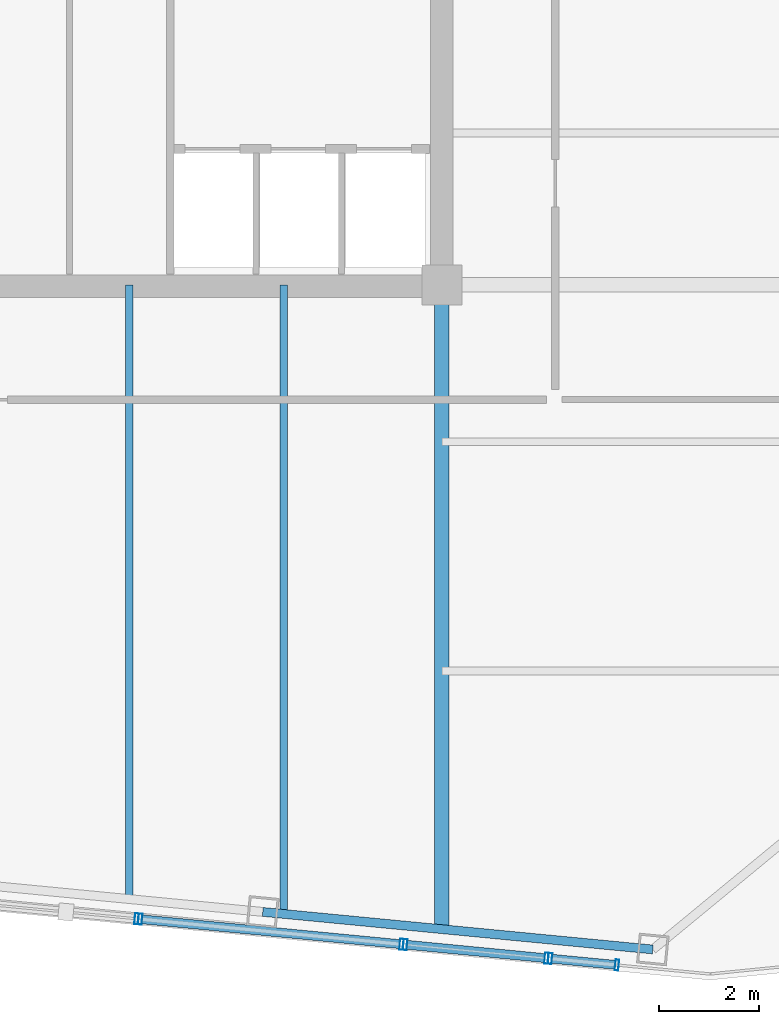
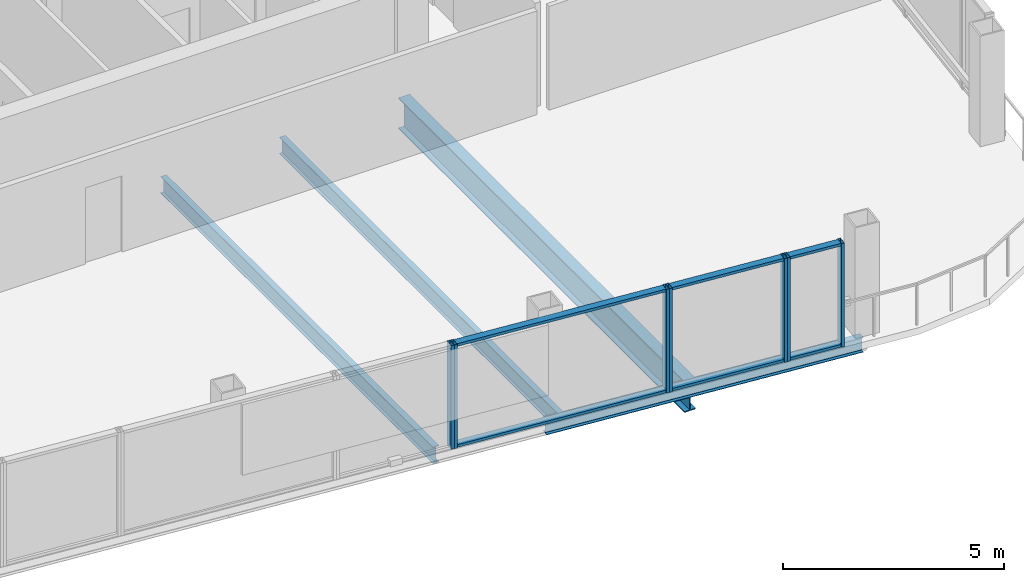
# One storey, part 5 of 26: 13 members, 4 beams, 4 elements without a shape of their own.
"""IFC4 building model written with IfcOpenShell, lengths in metres."""

from ifc_helpers import new_model, si_unit, direction, frame, origin, origin_2d, place, context, subcontext, project, spatial, hollow_rectangle, i_section, extrude, material, layer, layer_set, material_profile, profile_set, type_object, element, aggregate, save


model = new_model("IFC4")

# Units and contexts
model_context = context("Model", 3, precision=1e-05, world=origin(), true_north=direction((0.0, 1.0)))
body_context = subcontext(model_context, "Body", "Model", "MODEL_VIEW")
ifc_project = project(units=[si_unit("LENGTHUNIT", "METRE"), si_unit("AREAUNIT", "SQUARE_METRE"), si_unit("VOLUMEUNIT", "CUBIC_METRE"), si_unit("PLANEANGLEUNIT", "RADIAN"), si_unit("MASSUNIT", "GRAM", prefix="KILO")], contexts=[model_context])

# Site, building, storey
site_placement = place(None, origin())
site = spatial("IfcSite", under=ifc_project, at=site_placement, CompositionType="ELEMENT")
building_placement = place(site_placement, origin())
building = spatial("IfcBuilding", under=site, at=building_placement, Name="Qhalaya Broadcast Tower", CompositionType="ELEMENT")
storey_placement = place(building_placement, frame((0.0, 0.0, 248.949951171875)))
storey = spatial("IfcBuildingStorey", under=building, at=storey_placement, Name="L73", CompositionType="ELEMENT", Elevation=248.949951171875)

# Beams
ifc_material_1 = material(Name="Structural Steel ASTM A992 Grade 50", Category="steel")
ifc_material_profile_1 = material_profile(ifc_material_1, i_section(OverallWidth=0.154052734375, OverallDepth=0.458984375, WebThickness=0.009033203125, FlangeThickness=0.015380859375, at=origin_2d()), Name="W18X46")
ifc_profile_set_1 = profile_set([ifc_material_profile_1], Name="Structural Steel ASTM A992 Grade 50")
beam_type_1 = type_object("IfcBeamType", Name="Composite Floor Joist J04", PredefinedType="JOIST", material=ifc_profile_set_1)
beam_1_placement = place(storey_placement, frame((3.10009765625, -21.058349609375, -0.41943359375), z_axis=(0.0, 1.0, 0.0), x_axis=(-1.0, 0.0, 0.0)))
element("IfcBeam", 1, at=beam_1_placement, inside=storey, type_object=beam_type_1, Name="L73 J04 L73-JNS4-1", PredefinedType="JOIST", context=body_context, shape_type="SweptSolid", body=[
    extrude(i_section(OverallWidth=0.154052734375, OverallDepth=0.458984375, WebThickness=0.009033203125, FlangeThickness=0.015380859375, at=origin_2d()), origin(), (0.0, 0.0, 1.0), 12.308349609375),
])
beam_2_placement = place(storey_placement, frame((6.199951171875, -21.35693359375, -0.41943359375), z_axis=(0.0, 1.0, 0.0), x_axis=(-1.0, 0.0, 0.0)))
element("IfcBeam", 2, at=beam_2_placement, inside=storey, type_object=beam_type_1, Name="L73 J04 L73-JNS5-1", PredefinedType="JOIST", context=body_context, shape_type="SweptSolid", body=[
    extrude(i_section(OverallWidth=0.154052734375, OverallDepth=0.458984375, WebThickness=0.009033203125, FlangeThickness=0.015380859375, at=origin_2d()), origin(), (0.0, 0.0, 1.0), 12.60693359375),
])

# Curtain wall, member
ifc_material_2 = material(Name="Solar-Control Low-E Triple Glazing", Category="glass")
ifc_layer_1 = layer(ifc_material_2, 0.219970703125, Name="Solar-Control Low-E Triple Glazing")
ifc_layer_set_1 = layer_set([ifc_layer_1], Name="Solar-Control Low-E Triple Glazing")
curtain_wall_type_1 = type_object("IfcCurtainWallType", Name="High-Altitude Upper-Shaft Triple Low-E Curtain Wall CW-04", PredefinedType="NOTDEFINED", material=ifc_layer_set_1)
curtain_wall_1_placement = place(storey_placement, origin())
curtain_wall_1 = element("IfcCurtainWall", 3, at=curtain_wall_1_placement, inside=storey, type_object=curtain_wall_type_1, Name="L73 Unitised Curtain Wall L73-CW-S4", PredefinedType="NOTDEFINED")
ifc_material_3 = material(Name="Anodised Aluminium 6063-T6", Category="aluminium")
ifc_material_profile_2 = material_profile(ifc_material_3, hollow_rectangle(XDim=0.074951171875, YDim=0.219970703125, WallThickness=0.00390625, at=origin_2d()), Name="ALU-MUL 75x220x4")
ifc_profile_set_2 = profile_set([ifc_material_profile_2], Name="Anodised Aluminium 6063-T6")
member_type_1 = type_object("IfcMemberType", Name="Unitised Curtain-Wall Mullion M01", PredefinedType="MULLION", material=ifc_profile_set_2)
member_1_placement = place(storey_placement, frame((3.244140625, -21.47412109375, 0.0), z_axis=(0.0, 0.0, 1.0), x_axis=(0.995397805992, -0.095829055234, 0.0)))
member_1 = element("IfcMember", 4, at=member_1_placement, type_object=member_type_1, Name="CW-04 mullion 2", PredefinedType="MULLION", context=body_context, shape_type="SweptSolid", body=[
    extrude(hollow_rectangle(XDim=0.074951171875, YDim=0.219970703125, WallThickness=0.00390625, at=origin_2d()), origin(), (0.0, 0.0, 1.0), 2.860107421875),
])
aggregate(curtain_wall_1, [member_1])

# Curtain wall, members
ifc_material_4 = material(Name="Fired Architectural Terracotta", Category="masonry")
ifc_layer_2 = layer(ifc_material_4, 0.219970703125, Name="Fired Architectural Terracotta")
ifc_layer_set_2 = layer_set([ifc_layer_2], Name="Fired Architectural Terracotta")
curtain_wall_type_2 = type_object("IfcCurtainWallType", Name="Block-Cap Unitised Terracotta Spandrel Wall CW-07", PredefinedType="NOTDEFINED", material=ifc_layer_set_2)
curtain_wall_2_placement = place(storey_placement, origin())
curtain_wall_2 = element("IfcCurtainWall", 5, at=curtain_wall_2_placement, inside=storey, type_object=curtain_wall_type_2, Name="L73 Unitised Curtain Wall L73-CW-S5", PredefinedType="NOTDEFINED")
member_2_placement = place(storey_placement, frame((3.31884765625, -21.4814453125, 0.0), z_axis=(0.0, 0.0, 1.0), x_axis=(0.995396263968, -0.095845071223, 0.0)))
member_2 = element("IfcMember", 6, at=member_2_placement, type_object=member_type_1, Name="CW-07 mullion 1", PredefinedType="MULLION", context=body_context, shape_type="SweptSolid", body=[
    extrude(hollow_rectangle(XDim=0.074951171875, YDim=0.219970703125, WallThickness=0.00390625, at=origin_2d()), origin(), (0.0, 0.0, 1.0), 2.860107421875),
])
member_3_placement = place(storey_placement, frame((8.5625, -21.986328125, 0.0), z_axis=(0.0, 0.0, 1.0), x_axis=(0.995396263968, -0.095845071223, 0.0)))
member_3 = element("IfcMember", 7, at=member_3_placement, type_object=member_type_1, Name="CW-07 mullion 2", PredefinedType="MULLION", context=body_context, shape_type="SweptSolid", body=[
    extrude(hollow_rectangle(XDim=0.074951171875, YDim=0.219970703125, WallThickness=0.00390625, at=origin_2d()), origin(), (0.0, 0.0, 1.0), 2.860107421875),
])

curtain_wall_3_placement = place(storey_placement, origin())
curtain_wall_3 = element("IfcCurtainWall", 8, at=curtain_wall_3_placement, inside=storey, type_object=curtain_wall_type_1, Name="L73 Unitised Curtain Wall L73-CW-S6", PredefinedType="NOTDEFINED")
member_4_placement = place(storey_placement, frame((8.63720703125, -21.993408203125, 0.0), z_axis=(0.0, 0.0, 1.0), x_axis=(0.995394978082, -0.095858424822, 0.0)))
member_4 = element("IfcMember", 9, at=member_4_placement, type_object=member_type_1, Name="CW-04 mullion 1", PredefinedType="MULLION", context=body_context, shape_type="SweptSolid", body=[
    extrude(hollow_rectangle(XDim=0.074951171875, YDim=0.219970703125, WallThickness=0.00390625, at=origin_2d()), origin(), (0.0, 0.0, 1.0), 2.860107421875),
])
member_5_placement = place(storey_placement, frame((11.47216796875, -22.2666015625, 0.0), z_axis=(0.0, 0.0, 1.0), x_axis=(0.995394978082, -0.095858424822, 0.0)))
member_5 = element("IfcMember", 10, at=member_5_placement, type_object=member_type_1, Name="CW-04 mullion 2", PredefinedType="MULLION", context=body_context, shape_type="SweptSolid", body=[
    extrude(hollow_rectangle(XDim=0.074951171875, YDim=0.219970703125, WallThickness=0.00390625, at=origin_2d()), origin(), (0.0, 0.0, 1.0), 2.860107421875),
])

curtain_wall_4_placement = place(storey_placement, origin())
curtain_wall_4 = element("IfcCurtainWall", 11, at=curtain_wall_4_placement, inside=storey, type_object=curtain_wall_type_2, Name="L73 Unitised Curtain Wall L73-CW-S7", PredefinedType="NOTDEFINED")
member_6_placement = place(storey_placement, frame((11.546875, -22.273681640625, 0.0), z_axis=(0.0, 0.0, 1.0), x_axis=(0.995395360914, -0.095854449411, 0.0)))
member_6 = element("IfcMember", 12, at=member_6_placement, type_object=member_type_1, Name="CW-07 mullion 1", PredefinedType="MULLION", context=body_context, shape_type="SweptSolid", body=[
    extrude(hollow_rectangle(XDim=0.074951171875, YDim=0.219970703125, WallThickness=0.00390625, at=origin_2d()), origin(), (0.0, 0.0, 1.0), 2.860107421875),
])
member_7_placement = place(storey_placement, frame((12.887451171875, -22.40283203125, 0.0), z_axis=(0.0, 0.0, 1.0), x_axis=(0.995395360914, -0.095854449411, 0.0)))
member_7 = element("IfcMember", 13, at=member_7_placement, type_object=member_type_1, Name="CW-07 mullion 2", PredefinedType="MULLION", context=body_context, shape_type="SweptSolid", body=[
    extrude(hollow_rectangle(XDim=0.074951171875, YDim=0.219970703125, WallThickness=0.00390625, at=origin_2d()), origin(), (0.0, 0.0, 1.0), 2.860107421875),
])

# Member
ifc_material_profile_3 = material_profile(ifc_material_3, hollow_rectangle(XDim=0.074951171875, YDim=0.179931640625, WallThickness=0.00390625, at=origin_2d()), Name="ALU-TRN 75x180x4")
ifc_profile_set_3 = profile_set([ifc_material_profile_3], Name="Anodised Aluminium 6063-T6")
member_type_2 = type_object("IfcMemberType", Name="Unitised Curtain-Wall Transom T01", PredefinedType="USERDEFINED", material=ifc_profile_set_3)
member_8_placement = place(storey_placement, frame((3.356201171875, -21.485107421875, 0.03759765625), z_axis=(0.995399031506, -0.095816324684, 0.0), x_axis=(0.0, 0.0, 1.0)))
member_8 = element("IfcMember", 14, at=member_8_placement, type_object=member_type_2, Name="CW-07 transom 1.1", ObjectType="TRANSOM", PredefinedType="USERDEFINED", context=body_context, shape_type="SweptSolid", body=[
    extrude(hollow_rectangle(XDim=0.074951171875, YDim=0.179931640625, WallThickness=0.00390625, at=origin_2d()), origin(), (0.0, 0.0, 1.0), 5.19287109375),
])

member_9_placement = place(storey_placement, frame((3.356201171875, -21.485107421875, 2.822509765625), z_axis=(0.995399031506, -0.095816324684, 0.0), x_axis=(0.0, 0.0, 1.0)))
member_9 = element("IfcMember", 15, at=member_9_placement, type_object=member_type_2, Name="CW-07 transom 1.2", ObjectType="TRANSOM", PredefinedType="USERDEFINED", context=body_context, shape_type="SweptSolid", body=[
    extrude(hollow_rectangle(XDim=0.074951171875, YDim=0.179931640625, WallThickness=0.00390625, at=origin_2d()), origin(), (0.0, 0.0, 1.0), 5.19287109375),
])

aggregate(curtain_wall_2, [member_2, member_3, member_8, member_9])

member_10_placement = place(storey_placement, frame((8.674560546875, -21.9970703125, 0.03759765625), z_axis=(0.995393207476, -0.095876809034, 0.0), x_axis=(0.0, 0.0, 1.0)))
member_10 = element("IfcMember", 16, at=member_10_placement, type_object=member_type_2, Name="CW-04 transom 1.1", ObjectType="TRANSOM", PredefinedType="USERDEFINED", context=body_context, shape_type="SweptSolid", body=[
    extrude(hollow_rectangle(XDim=0.074951171875, YDim=0.179931640625, WallThickness=0.00390625, at=origin_2d()), origin(), (0.0, 0.0, 1.0), 2.77294921875),
])

member_11_placement = place(storey_placement, frame((8.674560546875, -21.9970703125, 2.822509765625), z_axis=(0.995393207476, -0.095876809034, 0.0), x_axis=(0.0, 0.0, 1.0)))
member_11 = element("IfcMember", 17, at=member_11_placement, type_object=member_type_2, Name="CW-04 transom 1.2", ObjectType="TRANSOM", PredefinedType="USERDEFINED", context=body_context, shape_type="SweptSolid", body=[
    extrude(hollow_rectangle(XDim=0.074951171875, YDim=0.179931640625, WallThickness=0.00390625, at=origin_2d()), origin(), (0.0, 0.0, 1.0), 2.77294921875),
])

aggregate(curtain_wall_3, [member_4, member_5, member_10, member_11])

member_12_placement = place(storey_placement, frame((11.584228515625, -22.27734375, 0.03759765625), z_axis=(0.995402696901, -0.095778238672, 0.0), x_axis=(0.0, 0.0, 1.0)))
member_12 = element("IfcMember", 18, at=member_12_placement, type_object=member_type_2, Name="CW-07 transom 1.1", ObjectType="TRANSOM", PredefinedType="USERDEFINED", context=body_context, shape_type="SweptSolid", body=[
    extrude(hollow_rectangle(XDim=0.074951171875, YDim=0.179931640625, WallThickness=0.00390625, at=origin_2d()), origin(), (0.0, 0.0, 1.0), 1.27197265625),
])

member_13_placement = place(storey_placement, frame((11.584228515625, -22.27734375, 2.822509765625), z_axis=(0.995402696901, -0.095778238672, 0.0), x_axis=(0.0, 0.0, 1.0)))
member_13 = element("IfcMember", 19, at=member_13_placement, type_object=member_type_2, Name="CW-07 transom 1.2", ObjectType="TRANSOM", PredefinedType="USERDEFINED", context=body_context, shape_type="SweptSolid", body=[
    extrude(hollow_rectangle(XDim=0.074951171875, YDim=0.179931640625, WallThickness=0.00390625, at=origin_2d()), origin(), (0.0, 0.0, 1.0), 1.27197265625),
])

aggregate(curtain_wall_4, [member_6, member_7, member_12, member_13])

# Beams
ifc_material_profile_4 = material_profile(ifc_material_1, i_section(OverallWidth=0.2919921875, OverallDepth=0.85888671875, WebThickness=0.01708984375, FlangeThickness=0.031005859375, at=origin_2d()), Name="W33X169")
ifc_profile_set_4 = profile_set([ifc_material_profile_4], Name="Structural Steel ASTM A992 Grade 50")
beam_type_2 = type_object("IfcBeamType", Name="Upper Block Primary Girder PG4", PredefinedType="USERDEFINED", material=ifc_profile_set_4)
beam_3_placement = place(storey_placement, frame((9.375, -21.66259765625, -0.619384765625), z_axis=(0.0, 1.0, 0.0), x_axis=(-1.0, 0.0, 0.0)))
element("IfcBeam", 20, at=beam_3_placement, inside=storey, type_object=beam_type_2, Name="L73 PG4 L73-PGXS2-1", ObjectType="GIRDER", PredefinedType="USERDEFINED", context=body_context, shape_type="SweptSolid", body=[
    extrude(i_section(OverallWidth=0.2919921875, OverallDepth=0.85888671875, WebThickness=0.01708984375, FlangeThickness=0.031005859375, at=origin_2d()), origin(), (0.0, 0.0, 1.0), 12.91259765625),
])
ifc_material_profile_5 = material_profile(ifc_material_1, i_section(OverallWidth=0.177978515625, OverallDepth=0.406005859375, WebThickness=0.0078125, FlangeThickness=0.0126953125, at=origin_2d()), Name="W16X40")
ifc_profile_set_5 = profile_set([ifc_material_profile_5], Name="Structural Steel ASTM A992 Grade 50")
beam_type_3 = type_object("IfcBeamType", Name="Upper Perimeter Spandrel Beam SP2", PredefinedType="SPANDREL", material=ifc_profile_set_5)
beam_4_placement = place(storey_placement, frame((5.77783203125, -21.33642578125, -0.39306640625), z_axis=(0.995397308407, -0.095834223619, 0.0), x_axis=(0.095834223619, 0.995397308407, 0.0)))
element("IfcBeam", 21, at=beam_4_placement, inside=storey, type_object=beam_type_3, Name="L73 SP2 L73-SPR-03", PredefinedType="SPANDREL", context=body_context, shape_type="SweptSolid", body=[
    extrude(i_section(OverallWidth=0.177978515625, OverallDepth=0.406005859375, WebThickness=0.0078125, FlangeThickness=0.0126953125, at=origin_2d()), origin(), (0.0, 0.0, 1.0), 7.86669921875),
])

save(model, "model.ifc")
